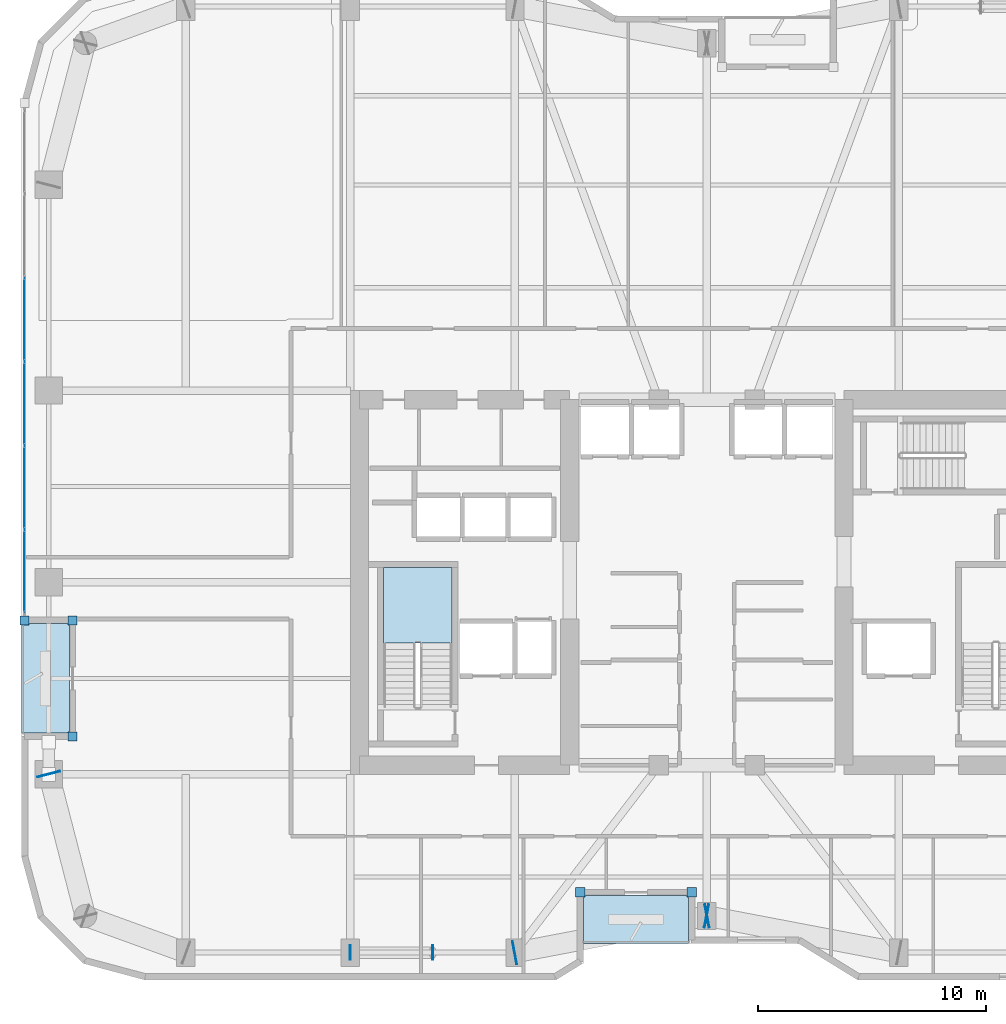
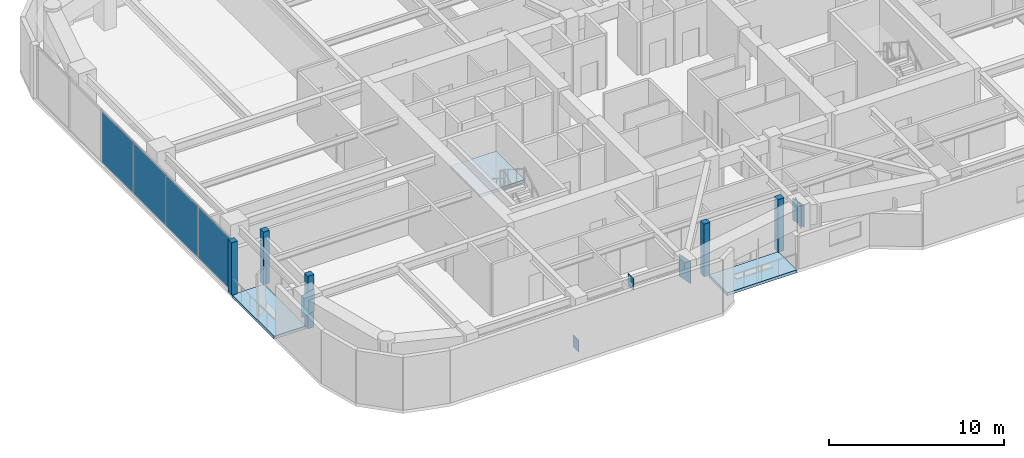
# One storey, part 21 of 30: 15 plates, 3 slabs, 2 elements without a shape of their own.
"""IFC4 building model written with IfcOpenShell, lengths in metres."""

from ifc_helpers import new_model, si_unit, direction, frame, origin, origin_2d, place, context, subcontext, project, spatial, polyline, rectangle, outline, extrude, material, layer, layer_set, type_object, element, aggregate, save


model = new_model("IFC4")

# Units and contexts
model_context = context("Model", 3, precision=1e-05, world=origin(), true_north=direction((0.0, 1.0)))
body_context = subcontext(model_context, "Body", "Model", "MODEL_VIEW")
ifc_project = project(units=[si_unit("LENGTHUNIT", "METRE"), si_unit("AREAUNIT", "SQUARE_METRE"), si_unit("VOLUMEUNIT", "CUBIC_METRE"), si_unit("PLANEANGLEUNIT", "RADIAN"), si_unit("MASSUNIT", "GRAM", prefix="KILO")], contexts=[model_context])

# Site, building, storey
site_placement = place(None, origin())
site = spatial("IfcSite", under=ifc_project, at=site_placement, CompositionType="ELEMENT")
building_placement = place(site_placement, origin())
building = spatial("IfcBuilding", under=site, at=building_placement, Name="Kiyonajd Concourse Tower", CompositionType="ELEMENT")
storey_placement = place(building_placement, frame((0.0, 0.0, 166.199951171875)))
storey = spatial("IfcBuildingStorey", under=building, at=storey_placement, Name="L42", CompositionType="ELEMENT", Elevation=166.199951171875)

# Plates
ifc_material_1 = material(Name="Steel ASTM A572 Grade 50", Category="steel")
ifc_layer_1 = layer(ifc_material_1, 0.028076171875)
ifc_layer_set_1 = layer_set([ifc_layer_1], Name="Steel ASTM A572 Grade 50")
plate_type_1 = type_object("IfcPlateType", Name="PL-CAP-450", PredefinedType="USERDEFINED", material=ifc_layer_set_1)
for number, where, z_axis, x_axis, name in (
    (1, (32.3916015625, 19.800048828125, -0.10888671875), (0.0, 0.0, 1.0), (-1.0, 0.0, 0.0), "L42 Hollow Brace End Cap Plate PBS"),
    (2, (36.00830078125, 19.800048828125, 2.93505859375), (0.0, 0.0, 1.0), (1.0, 0.0, 0.0), "L42 Hollow Brace Top Cap Plate PBS"),
):
    element("IfcPlate", number, at=place(storey_placement, frame(where, z_axis=z_axis, x_axis=x_axis)), inside=storey, type_object=plate_type_1, Name=name, ObjectType="CAP PLATE", PredefinedType="USERDEFINED", context=body_context, shape_type="SweptSolid", body=[
        extrude(rectangle(XDim=0.035888671875, YDim=0.6279296875, at=origin_2d()), origin(), (0.0, 0.0, 1.0), 0.803955078125),
    ])
ifc_layer_2 = layer(ifc_material_1, 0.031982421875)
ifc_layer_set_2 = layer_set([ifc_layer_2], Name="Steel ASTM A572 Grade 50")
plate_type_2 = type_object("IfcPlateType", Name="PL-CAP-540", PredefinedType="USERDEFINED", material=ifc_layer_set_2)
for number, where, z_axis, x_axis, name in (
    (3, (19.197265625, 27.610595703125, 2.2099609375), (0.0, 0.0, 1.0), (-0.249873048837, 0.968278606324, 0.0), "L42 Welded Box Girder End Cap"),
    (4, (39.589111328125, 19.7978515625, 2.2099609375), (0.0, 0.0, 1.0), (-0.982352599301, -0.187038420242, 0.0), "L42 Welded Box Girder End Cap"),
    (5, (48.0107421875, 21.402099609375, 2.2099609375), (0.0, 0.0, 1.0), (0.982352599301, 0.187038420242, 0.0), "L42 Welded Box Girder End Cap"),
    (6, (47.9892578125, 21.402099609375, 2.2099609375), (0.0, 0.0, 1.0), (-0.982352599301, 0.187038420242, 0.0), "L42 Welded Box Girder End Cap"),
):
    element("IfcPlate", number, at=place(storey_placement, frame(where, z_axis=z_axis, x_axis=x_axis)), inside=storey, type_object=plate_type_2, Name=name, ObjectType="CAP PLATE", PredefinedType="USERDEFINED", context=body_context, shape_type="SweptSolid", body=[
        extrude(rectangle(XDim=0.035888671875, YDim=1.02001953125, at=origin_2d()), origin(), (0.0, 0.0, 1.0), 1.5400390625),
    ])

# Curtain wall, plates
ifc_material_2 = material(Name="Thermally Broken Anodised Aluminium", Category="aluminium")
ifc_layer_3 = layer(ifc_material_2, 0.179931640625)
ifc_layer_set_3 = layer_set([ifc_layer_3], Name="Thermally Broken Anodised Aluminium")
curtain_wall_type = type_object("IfcCurtainWallType", Name="CW-SYS-03", PredefinedType="NOTDEFINED", material=ifc_layer_set_3)
curtain_wall_placement = place(storey_placement, origin())
curtain_wall = element("IfcCurtainWall", 7, at=curtain_wall_placement, inside=storey, type_object=curtain_wall_type, Name="L42 Unitised Curtain Wall CW3", PredefinedType="NOTDEFINED")
ifc_material_3 = material(Name="Double Low-E Insulated Glass", Category="glass")
ifc_layer_4 = layer(ifc_material_3, 0.033935546875)
ifc_layer_set_4 = layer_set([ifc_layer_4], Name="Double Low-E Insulated Glass")
plate_type_3 = type_object("IfcPlateType", Name="PL-CW-VIS34", PredefinedType="CURTAIN_PANEL", material=ifc_layer_set_4)
plate_1_placement = place(storey_placement, frame((18.139892578125, 36.484619140625, 0.06494140625), z_axis=(0.0, 0.0, 1.0), x_axis=(0.0, 1.0, 0.0)))
plate_1 = element("IfcPlate", 8, at=plate_1_placement, type_object=plate_type_3, Name="CW3 panel 1.1", PredefinedType="CURTAIN_PANEL", context=body_context, shape_type="SweptSolid", body=[
    extrude(rectangle(XDim=3.579345703125, YDim=0.033935546875, at=origin_2d()), origin(), (0.0, 0.0, 1.0), 3.550048828125),
])
plate_2_placement = place(storey_placement, frame((18.139892578125, 40.1455078125, 0.06494140625), z_axis=(0.0, 0.0, 1.0), x_axis=(0.0, 1.0, 0.0)))
plate_2 = element("IfcPlate", 9, at=plate_2_placement, type_object=plate_type_3, Name="CW3 panel 2.1", PredefinedType="CURTAIN_PANEL", context=body_context, shape_type="SweptSolid", body=[
    extrude(rectangle(XDim=3.61181640625, YDim=0.033935546875, at=origin_2d()), origin(), (0.0, 0.0, 1.0), 3.550048828125),
])
plate_3_placement = place(storey_placement, frame((18.139892578125, 43.822265625, 0.06494140625), z_axis=(0.0, 0.0, 1.0), x_axis=(0.0, 1.0, 0.0)))
plate_3 = element("IfcPlate", 10, at=plate_3_placement, type_object=plate_type_3, Name="CW3 panel 3.1", PredefinedType="CURTAIN_PANEL", context=body_context, shape_type="SweptSolid", body=[
    extrude(rectangle(XDim=3.61181640625, YDim=0.033935546875, at=origin_2d()), origin(), (0.0, 0.0, 1.0), 3.550048828125),
])
plate_4_placement = place(storey_placement, frame((18.139892578125, 47.499267578125, 0.06494140625), z_axis=(0.0, 0.0, 1.0), x_axis=(0.0, 1.0, 0.0)))
plate_4 = element("IfcPlate", 11, at=plate_4_placement, type_object=plate_type_3, Name="CW3 panel 4.1", PredefinedType="CURTAIN_PANEL", context=body_context, shape_type="SweptSolid", body=[
    extrude(rectangle(XDim=3.61181640625, YDim=0.033935546875, at=origin_2d()), origin(), (0.0, 0.0, 1.0), 3.550048828125),
])
aggregate(curtain_wall, [plate_1, plate_2, plate_3, plate_4])

# Plates
ifc_layer_5 = layer(ifc_material_2, 0.39990234375)
ifc_layer_set_5 = layer_set([ifc_layer_5], Name="Thermally Broken Anodised Aluminium")
plate_type_4 = type_object("IfcPlateType", Name="PL-JMB-400", PredefinedType="USERDEFINED", material=ifc_layer_set_5)
for number, where, z_axis, x_axis, name in (
    (12, (20.239990234375, 29.260009765625, 0.0), (0.0, 0.0, 1.0), (1.0, 0.0, 0.0), "L42 Facade Jamb Closure Plate 01"),
    (13, (20.239990234375, 34.340087890625, 0.0), (0.0, 0.0, 1.0), (1.0, 0.0, 0.0), "L42 Facade Jamb Closure Plate 02"),
    (14, (18.139892578125, 34.340087890625, 0.0), (0.0, 0.0, 1.0), (1.0, 0.0, 0.0), "L42 Facade Jamb Closure Plate 03"),
    (15, (47.340087890625, 22.43994140625, 0.0), (0.0, 0.0, 1.0), (1.0, 0.0, 0.0), "L42 Facade Jamb Closure Plate 13"),
    (16, (42.4599609375, 22.43994140625, 0.0), (0.0, 0.0, 1.0), (1.0, 0.0, 0.0), "L42 Facade Jamb Closure Plate 14"),
):
    element("IfcPlate", number, at=place(storey_placement, frame(where, z_axis=z_axis, x_axis=x_axis)), inside=storey, type_object=plate_type_4, Name=name, ObjectType="JAMB PLATE", PredefinedType="USERDEFINED", context=body_context, shape_type="SweptSolid", body=[
        extrude(rectangle(XDim=0.39990234375, YDim=0.39990234375, at=origin_2d()), origin(), (0.0, 0.0, 1.0), 3.679931640625),
    ])

# Stair, slab
ifc_material_4 = material(Name="Concrete C40/50", Category="concrete")
stair_type = type_object("IfcStairType", Name="ST-DLG-22R", PredefinedType="HALF_TURN_STAIR", material=ifc_material_4)
stair_placement = place(storey_placement, origin())
stair = element("IfcStair", 17, at=stair_placement, inside=storey, type_object=stair_type, Name="L42 Protected Exit Stair ST1", PredefinedType="HALF_TURN_STAIR")
ifc_layer_6 = layer(ifc_material_4, 0.199951171875)
ifc_layer_set_6 = layer_set([ifc_layer_6], Name="Concrete C40/50")
slab_type_1 = type_object("IfcSlabType", Name="SL-LND-200", PredefinedType="LANDING", material=ifc_layer_set_6)
slab_1_placement = place(storey_placement, frame((0.0, 0.0, 1.75)))
slab_1 = element("IfcSlab", 18, at=slab_1_placement, type_object=slab_type_1, Name="ST1 landing 1", PredefinedType="LANDING", context=body_context, shape_type="SweptSolid", body=[
    extrude(outline(polyline([(36.85009765625, 33.35009765625), (36.85009765625, 36.64990234375), (33.85009765625, 36.64990234375), (33.85009765625, 33.35009765625), (36.85009765625, 33.35009765625)])), origin(), (0.0, 0.0, 1.0), 0.199951171875),
])
aggregate(stair, [slab_1])

# Slabs
ifc_material_5 = material(Name="Precast concrete C50/60", Category="concrete")
ifc_layer_7 = layer(ifc_material_5, 0.199951171875)
ifc_layer_set_7 = layer_set([ifc_layer_7], Name="Precast concrete C50/60")
slab_type_2 = type_object("IfcSlabType", Name="SL-LOG-200", PredefinedType="FLOOR", material=ifc_layer_set_7)
slab_2_placement = place(storey_placement, frame((0.0, 0.0, -0.199951171875)))
element("IfcSlab", 19, at=slab_2_placement, inside=storey, type_object=slab_type_2, Name="L42 Recessed Engawa Loggia Terrace Slab LOG-S", PredefinedType="FLOOR", context=body_context, shape_type="SweptSolid", body=[
    extrude(outline(polyline([(42.60009765625, 20.199951171875), (47.199951171875, 20.199951171875), (47.199951171875, 22.300048828125), (42.60009765625, 22.300048828125), (42.60009765625, 20.199951171875)])), origin(), (0.0, 0.0, 1.0), 0.199951171875),
])
slab_3_placement = place(storey_placement, frame((0.0, 0.0, -0.199951171875)))
element("IfcSlab", 20, at=slab_3_placement, inside=storey, type_object=slab_type_2, Name="L42 Recessed Engawa Loggia Terrace Slab LOG-W", PredefinedType="FLOOR", context=body_context, shape_type="SweptSolid", body=[
    extrude(outline(polyline([(18.0, 29.39990234375), (20.10009765625, 29.39990234375), (20.10009765625, 34.199951171875), (18.0, 34.199951171875), (18.0, 29.39990234375)])), origin(), (0.0, 0.0, 1.0), 0.199951171875),
])

save(model, "model.ifc")
